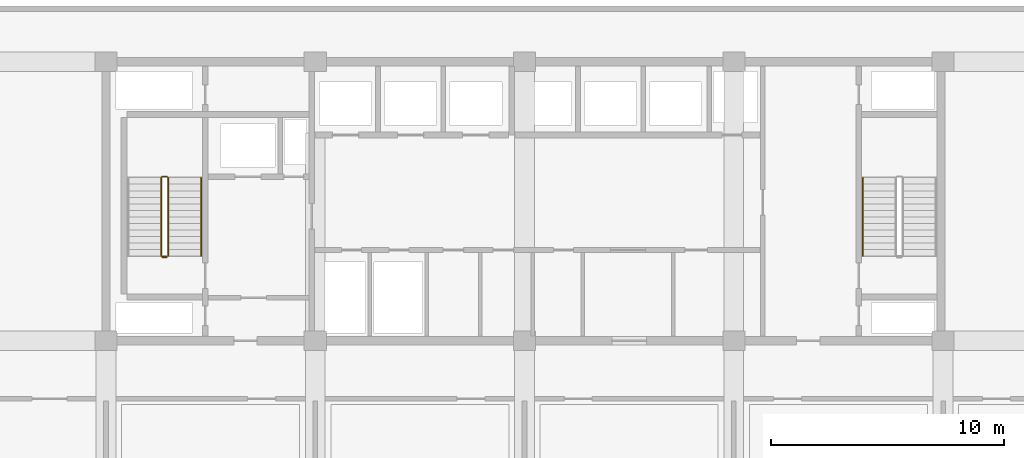
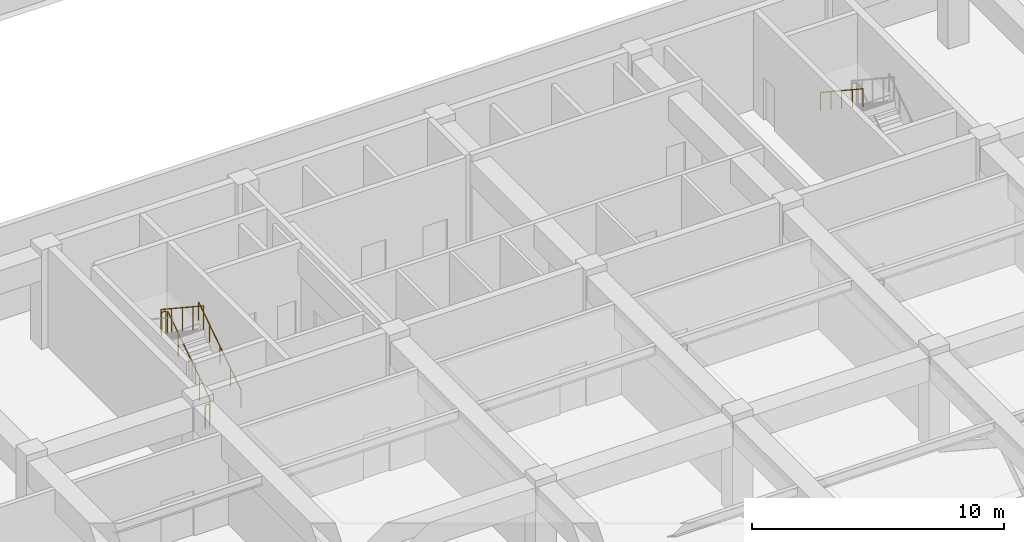
# One storey, part 16 of 21: 6 railings.
"""IFC4 building model written with IfcOpenShell, lengths in metres."""

from ifc_helpers import new_model, si_unit, direction, frame, origin, origin_2d, place, context, subcontext, project, spatial, circle, extrude, material, type_object, element, save


model = new_model("IFC4")

# Units and contexts
model_context = context("Model", 3, precision=1e-05, world=origin(), true_north=direction((0.0, 1.0)))
body_context = subcontext(model_context, "Body", "Model", "MODEL_VIEW")
ifc_project = project(units=[si_unit("LENGTHUNIT", "METRE"), si_unit("AREAUNIT", "SQUARE_METRE"), si_unit("VOLUMEUNIT", "CUBIC_METRE"), si_unit("PLANEANGLEUNIT", "RADIAN"), si_unit("MASSUNIT", "GRAM", prefix="KILO")], contexts=[model_context])

# Site, building, storey
site_placement = place(None, origin())
site = spatial("IfcSite", under=ifc_project, at=site_placement, CompositionType="ELEMENT")
building_placement = place(site_placement, origin())
building = spatial("IfcBuilding", under=site, at=building_placement, Name="Korimba Cascade Residences", CompositionType="ELEMENT")
storey_placement = place(building_placement, frame((0.0, 0.0, 76.0)))
storey = spatial("IfcBuildingStorey", under=building, at=storey_placement, Name="L21", CompositionType="ELEMENT", Elevation=76.0)

# Railings
ifc_material_1 = material(Name="Painted Steel Stairwell Guardrail", Category="steel")
railing_type_1 = type_object("IfcRailingType", Name="RLG-ST-GD1150", PredefinedType="GUARDRAIL", material=ifc_material_1)
railing_1_placement = place(storey_placement, frame((84.77001953125, 22.050048828125, 0.1845703125)))
element("IfcRailing", 1, at=railing_1_placement, inside=storey, type_object=railing_type_1, Name="L21 ST-E1 stair guard 1", PredefinedType="GUARDRAIL", context=body_context, shape_type="SweptSolid", body=[
    extrude(circle(Radius=0.02392578125, at=origin_2d()), frame((0.0, 0.0, 1.1259765625), z_axis=(0.0, 0.834858096282, 0.550465220583), x_axis=(-1.0, 0.0, 0.0)), (0.0, 0.0, 1.0), 4.0244140625),
    extrude(circle(Radius=0.02099609375, at=origin_2d()), origin(), (0.0, 0.0, 1.0), 1.101806640625),
    extrude(circle(Radius=0.02099609375, at=origin_2d()), frame((0.0, 0.83984375, 0.5537109375)), (0.0, 0.0, 1.0), 1.101806640625),
    extrude(circle(Radius=0.02099609375, at=origin_2d()), frame((0.0, 1.679931640625, 1.107666015625)), (0.0, 0.0, 1.0), 1.101806640625),
    extrude(circle(Radius=0.02099609375, at=origin_2d()), frame((0.0, 2.52001953125, 1.66162109375)), (0.0, 0.0, 1.0), 1.101806640625),
    extrude(circle(Radius=0.02099609375, at=origin_2d()), frame((0.0, 3.35986328125, 2.21533203125)), (0.0, 0.0, 1.0), 1.101806640625),
])
railing_2_placement = place(storey_placement, frame((84.719970703125, 25.4599609375, 2.39990234375)))
element("IfcRailing", 2, at=railing_2_placement, inside=storey, type_object=railing_type_1, Name="L21 ST-E1 stair guard 2", PredefinedType="GUARDRAIL", context=body_context, shape_type="SweptSolid", body=[
    extrude(circle(Radius=0.02392578125, at=origin_2d()), frame((0.0, 0.0, 1.1259765625), z_axis=(-1.0, 0.0, 0.0), x_axis=(0.0, -1.0, 0.0)), (0.0, 0.0, 1.0), 0.199951171875),
    extrude(circle(Radius=0.02099609375, at=origin_2d()), origin(), (0.0, 0.0, 1.0), 1.101806640625),
    extrude(circle(Radius=0.02099609375, at=origin_2d()), frame((-0.199951171875, 0.0, 0.0)), (0.0, 0.0, 1.0), 1.101806640625),
])
railing_3_placement = place(storey_placement, frame((84.469970703125, 25.409912109375, 2.584716796875)))
element("IfcRailing", 3, at=railing_3_placement, inside=storey, type_object=railing_type_1, Name="L21 ST-E1 stair guard 3", PredefinedType="GUARDRAIL", context=body_context, shape_type="SweptSolid", body=[
    extrude(circle(Radius=0.02392578125, at=origin_2d()), frame((0.0, 0.0, 1.1259765625), z_axis=(0.0, -0.834858096282, 0.550465220583), x_axis=(1.0, 0.0, 0.0)), (0.0, 0.0, 1.0), 4.0244140625),
    extrude(circle(Radius=0.02099609375, at=origin_2d()), origin(), (0.0, 0.0, 1.0), 1.101806640625),
    extrude(circle(Radius=0.02099609375, at=origin_2d()), frame((0.0, -0.83984375, 0.5537109375)), (0.0, 0.0, 1.0), 1.101806640625),
    extrude(circle(Radius=0.02099609375, at=origin_2d()), frame((0.0, -1.679931640625, 1.107666015625)), (0.0, 0.0, 1.0), 1.101806640625),
    extrude(circle(Radius=0.02099609375, at=origin_2d()), frame((0.0, -2.52001953125, 1.66162109375)), (0.0, 0.0, 1.0), 1.101806640625),
    extrude(circle(Radius=0.02099609375, at=origin_2d()), frame((0.0, -3.35986328125, 2.21533203125)), (0.0, 0.0, 1.0), 1.101806640625),
])
railing_4_placement = place(storey_placement, frame((84.719970703125, 22.0, 0.0)))
element("IfcRailing", 4, at=railing_4_placement, inside=storey, type_object=railing_type_1, Name="L21 ST-E1 stair guard 4", PredefinedType="GUARDRAIL", context=body_context, shape_type="SweptSolid", body=[
    extrude(circle(Radius=0.02392578125, at=origin_2d()), frame((0.0, 0.0, 1.1259765625), z_axis=(-1.0, 0.0, 0.0), x_axis=(0.0, -1.0, 0.0)), (0.0, 0.0, 1.0), 0.199951171875),
    extrude(circle(Radius=0.02099609375, at=origin_2d()), origin(), (0.0, 0.0, 1.0), 1.101806640625),
    extrude(circle(Radius=0.02099609375, at=origin_2d()), frame((-0.199951171875, 0.0, 0.0)), (0.0, 0.0, 1.0), 1.101806640625),
])
ifc_material_2 = material(Name="Brushed Stainless Steel Handrail", Category="steel")
railing_type_2 = type_object("IfcRailingType", Name="RLG-ST-HR900", PredefinedType="HANDRAIL", material=ifc_material_2)
railing_5_placement = place(storey_placement, frame((86.18994140625, 22.050048828125, 0.373291015625)))
element("IfcRailing", 5, at=railing_5_placement, inside=storey, type_object=railing_type_2, Name="L21 ST-E1 stair handrail 1", PredefinedType="HANDRAIL", context=body_context, shape_type="SweptSolid", body=[
    extrude(circle(Radius=0.02392578125, at=origin_2d()), frame((0.0, 0.0, 0.8759765625), z_axis=(0.0, 0.834858096282, 0.550465220583), x_axis=(-1.0, 0.0, 0.0)), (0.0, 0.0, 1.0), 4.0244140625),
    extrude(circle(Radius=0.02099609375, at=origin_2d()), origin(), (0.0, 0.0, 1.0), 0.851806640625),
    extrude(circle(Radius=0.02099609375, at=origin_2d()), frame((0.0, 0.83984375, 0.5537109375)), (0.0, 0.0, 1.0), 0.851806640625),
    extrude(circle(Radius=0.02099609375, at=origin_2d()), frame((0.0, 1.679931640625, 1.107666015625)), (0.0, 0.0, 1.0), 0.851806640625),
    extrude(circle(Radius=0.02099609375, at=origin_2d()), frame((0.0, 2.52001953125, 1.66162109375)), (0.0, 0.0, 1.0), 0.851806640625),
    extrude(circle(Radius=0.02099609375, at=origin_2d()), frame((0.0, 3.35986328125, 2.21533203125)), (0.0, 0.0, 1.0), 0.851806640625),
])
railing_6_placement = place(storey_placement, frame((114.64990234375, 25.409912109375, 2.773193359375)))
element("IfcRailing", 6, at=railing_6_placement, inside=storey, type_object=railing_type_2, Name="L21 ST-E2 stair handrail 2", PredefinedType="HANDRAIL", context=body_context, shape_type="SweptSolid", body=[
    extrude(circle(Radius=0.02392578125, at=origin_2d()), frame((0.0, 0.0, 0.8759765625), z_axis=(0.0, -0.834858096282, 0.550465220583), x_axis=(1.0, 0.0, 0.0)), (0.0, 0.0, 1.0), 4.0244140625),
    extrude(circle(Radius=0.02099609375, at=origin_2d()), origin(), (0.0, 0.0, 1.0), 0.851806640625),
    extrude(circle(Radius=0.02099609375, at=origin_2d()), frame((0.0, -0.83984375, 0.5537109375)), (0.0, 0.0, 1.0), 0.851806640625),
    extrude(circle(Radius=0.02099609375, at=origin_2d()), frame((0.0, -1.679931640625, 1.107666015625)), (0.0, 0.0, 1.0), 0.851806640625),
    extrude(circle(Radius=0.02099609375, at=origin_2d()), frame((0.0, -2.52001953125, 1.66162109375)), (0.0, 0.0, 1.0), 0.851806640625),
    extrude(circle(Radius=0.02099609375, at=origin_2d()), frame((0.0, -3.35986328125, 2.21533203125)), (0.0, 0.0, 1.0), 0.851806640625),
])

save(model, "model.ifc")
